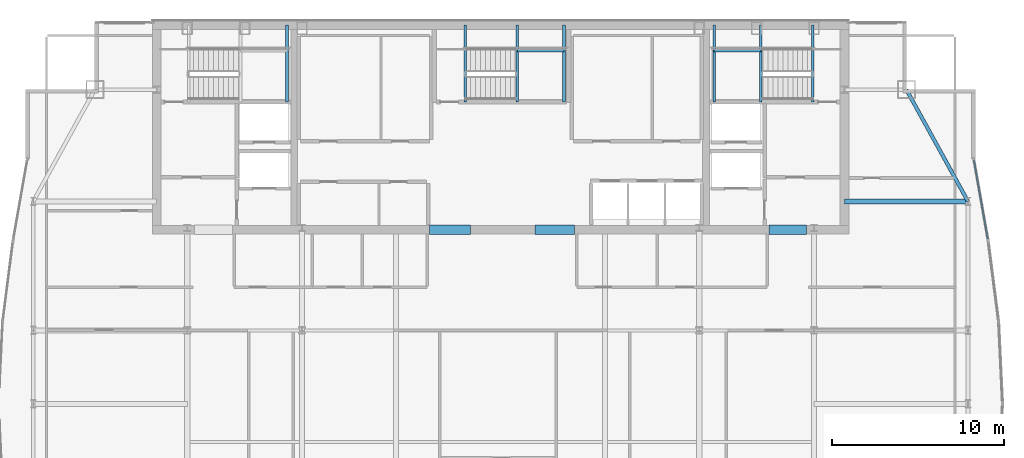
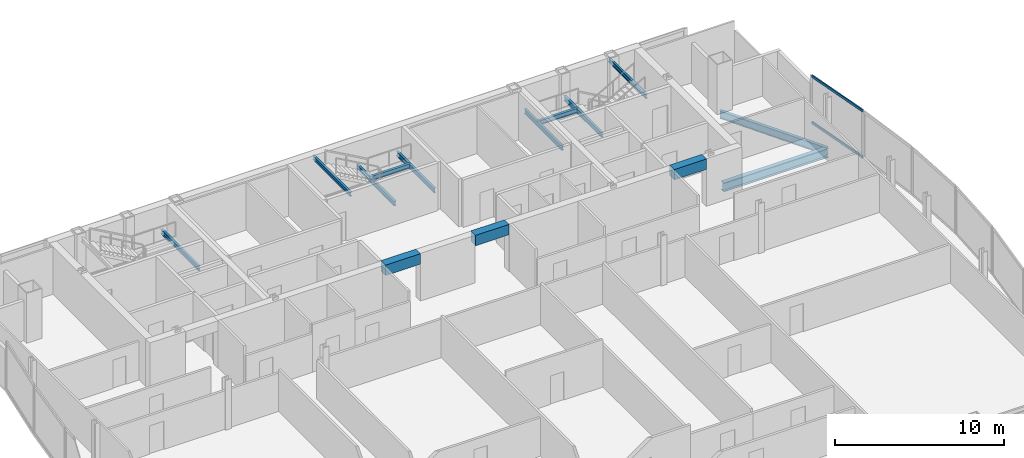
# One storey, part 22 of 30: 14 beams, 2 members, 1 element without a shape of its own.
"""IFC4 building model written with IfcOpenShell, lengths in metres."""

from ifc_helpers import new_model, si_unit, direction, frame, origin, origin_2d, place, context, subcontext, project, spatial, rectangle, hollow_rectangle, i_section, extrude, material, material_profile, profile_set, type_object, element, aggregate, save


model = new_model("IFC4")

# Units and contexts
model_context = context("Model", 3, precision=1e-05, world=origin(), true_north=direction((0.0, 1.0)))
body_context = subcontext(model_context, "Body", "Model", "MODEL_VIEW")
ifc_project = project(units=[si_unit("LENGTHUNIT", "METRE"), si_unit("AREAUNIT", "SQUARE_METRE"), si_unit("VOLUMEUNIT", "CUBIC_METRE"), si_unit("PLANEANGLEUNIT", "RADIAN"), si_unit("MASSUNIT", "GRAM", prefix="KILO")], contexts=[model_context])

# Site, building, storey
site_placement = place(None, origin())
site = spatial("IfcSite", under=ifc_project, at=site_placement, CompositionType="ELEMENT")
building_placement = place(site_placement, origin())
building = spatial("IfcBuilding", under=site, at=building_placement, Name="Khoronbel Lancet Exchange", CompositionType="ELEMENT")
storey_placement = place(building_placement, frame((0.0, 0.0, 277.0)))
storey = spatial("IfcBuildingStorey", under=building, at=storey_placement, Name="L71", CompositionType="ELEMENT", Elevation=277.0)

# Beams
ifc_material_1 = material(Name="Steel S355", Category="steel")
ifc_material_profile_1 = material_profile(ifc_material_1, i_section(OverallWidth=0.300048828125, OverallDepth=0.64990234375, WebThickness=0.01611328125, FlangeThickness=0.031005859375, at=origin_2d()), Name="HEB 650")
ifc_profile_set_1 = profile_set([ifc_material_profile_1], Name="Steel S355")
beam_type_1 = type_object("IfcBeamType", Name="BM-BG4", PredefinedType="BEAM", material=ifc_profile_set_1)
beam_1_placement = place(storey_placement, frame((56.449951171875, 43.199951171875, -0.485107421875), z_axis=(1.0, 0.0, 0.0), x_axis=(0.0, 1.0, 0.0)))
element("IfcBeam", 1, at=beam_1_placement, inside=storey, type_object=beam_type_1, Name="Level L71 east lens tie girder LG3E", PredefinedType="BEAM", context=body_context, shape_type="SweptSolid", body=[
    extrude(i_section(OverallWidth=0.300048828125, OverallDepth=0.64990234375, WebThickness=0.01611328125, FlangeThickness=0.031005859375, at=origin_2d()), origin(), (0.0, 0.0, 1.0), 7.179931640625),
])
ifc_material_profile_2 = material_profile(ifc_material_1, i_section(OverallWidth=0.159912109375, OverallDepth=0.330078125, WebThickness=0.007568359375, FlangeThickness=0.011474609375, at=origin_2d()), Name="IPE 330")
ifc_profile_set_2 = profile_set([ifc_material_profile_2], Name="Steel S355")
beam_type_2 = type_object("IfcBeamType", Name="BM-BJ7", PredefinedType="JOIST", material=ifc_profile_set_2)
for number, where, z_axis, x_axis, name in (
    (2, (24.030029296875, 48.97998046875, 1.43505859375), (0.0, 1.0, 0.0), (-1.0, 0.0, 0.0), "Level L71 stair ST1 rear landing bearer beam 1"),
    (3, (51.580078125, 48.97998046875, 1.43505859375), (0.0, 1.0, 0.0), (-1.0, 0.0, 0.0), "Level L71 stair ST2 landing bearer beam 1"),
    (4, (48.8701171875, 48.97998046875, 1.43505859375), (0.0, 1.0, 0.0), (-1.0, 0.0, 0.0), "Level L71 stair ST2 rear landing bearer beam 1"),
):
    element("IfcBeam", number, at=place(storey_placement, frame(where, z_axis=z_axis, x_axis=x_axis)), inside=storey, type_object=beam_type_2, Name=name, PredefinedType="JOIST", context=body_context, shape_type="SweptSolid", body=[
        extrude(i_section(OverallWidth=0.159912109375, OverallDepth=0.330078125, WebThickness=0.007568359375, FlangeThickness=0.011474609375, at=origin_2d()), origin(), (0.0, 0.0, 1.0), 4.469970703125),
    ])
beam_2_placement = place(storey_placement, frame((48.8701171875, 51.97998046875, 1.43505859375), z_axis=(1.0, 0.0, 0.0), x_axis=(0.0, 1.0, 0.0)))
element("IfcBeam", 5, at=beam_2_placement, inside=storey, type_object=beam_type_2, Name="Level L71 stair ST2 landing cross trimmer beam 1", PredefinedType="JOIST", context=body_context, shape_type="SweptSolid", body=[
    extrude(i_section(OverallWidth=0.159912109375, OverallDepth=0.330078125, WebThickness=0.007568359375, FlangeThickness=0.011474609375, at=origin_2d()), origin(), (0.0, 0.0, 1.0), 2.7099609375),
])
for number, where, z_axis, x_axis, name in (
    (6, (37.419921875, 48.97998046875, 1.43505859375), (0.0, 1.0, 0.0), (-1.0, 0.0, 0.0), "Level L71 stair ST3 landing bearer beam 1"),
    (7, (40.1298828125, 48.97998046875, 1.43505859375), (0.0, 1.0, 0.0), (-1.0, 0.0, 0.0), "Level L71 stair ST3 rear landing bearer beam 1"),
):
    element("IfcBeam", number, at=place(storey_placement, frame(where, z_axis=z_axis, x_axis=x_axis)), inside=storey, type_object=beam_type_2, Name=name, PredefinedType="JOIST", context=body_context, shape_type="SweptSolid", body=[
        extrude(i_section(OverallWidth=0.159912109375, OverallDepth=0.330078125, WebThickness=0.007568359375, FlangeThickness=0.011474609375, at=origin_2d()), origin(), (0.0, 0.0, 1.0), 4.469970703125),
    ])
beam_3_placement = place(storey_placement, frame((37.419921875, 51.97998046875, 1.43505859375), z_axis=(1.0, 0.0, 0.0), x_axis=(0.0, 1.0, 0.0)))
element("IfcBeam", 8, at=beam_3_placement, inside=storey, type_object=beam_type_2, Name="Level L71 stair ST3 landing cross trimmer beam 1", PredefinedType="JOIST", context=body_context, shape_type="SweptSolid", body=[
    extrude(i_section(OverallWidth=0.159912109375, OverallDepth=0.330078125, WebThickness=0.007568359375, FlangeThickness=0.011474609375, at=origin_2d()), origin(), (0.0, 0.0, 1.0), 2.7099609375),
])
ifc_material_profile_3 = material_profile(ifc_material_1, i_section(OverallWidth=0.14990234375, OverallDepth=0.300048828125, WebThickness=0.007080078125, FlangeThickness=0.0107421875, at=origin_2d()), Name="IPE 300")
ifc_profile_set_3 = profile_set([ifc_material_profile_3], Name="Steel S355")
beam_type_3 = type_object("IfcBeamType", Name="BM-BJ8", PredefinedType="JOIST", material=ifc_profile_set_3)
for number, where, z_axis, x_axis, name in (
    (9, (54.60009765625, 48.97998046875, 3.159912109375), (0.0, 1.0, 0.0), (-1.0, 0.0, 0.0), "Level L71 stair ST2 upper-flight arrival trimmer beam"),
    (10, (34.39990234375, 48.97998046875, 3.159912109375), (0.0, 1.0, 0.0), (-1.0, 0.0, 0.0), "Level L71 stair ST3 upper-flight arrival trimmer beam"),
):
    element("IfcBeam", number, at=place(storey_placement, frame(where, z_axis=z_axis, x_axis=x_axis)), inside=storey, type_object=beam_type_3, Name=name, PredefinedType="JOIST", context=body_context, shape_type="SweptSolid", body=[
        extrude(i_section(OverallWidth=0.14990234375, OverallDepth=0.300048828125, WebThickness=0.007080078125, FlangeThickness=0.0107421875, at=origin_2d()), origin(), (0.0, 0.0, 1.0), 4.469970703125),
    ])
ifc_material_2 = material(Name="Concrete C60/75", Category="concrete")
ifc_material_profile_4 = material_profile(ifc_material_2, rectangle(XDim=0.550048828125, YDim=0.75, at=origin_2d()), Name="RC 550x750")
ifc_profile_set_4 = profile_set([ifc_material_profile_4], Name="Concrete C60/75")
beam_type_4 = type_object("IfcBeamType", Name="BM-BL2", PredefinedType="LINTEL", material=ifc_profile_set_4)
beam_4_placement = place(storey_placement, frame((32.300048828125, 41.550048828125, 3.06494140625), z_axis=(1.0, 0.0, 0.0), x_axis=(0.0, 1.0, 0.0)))
element("IfcBeam", 11, at=beam_4_placement, inside=storey, type_object=beam_type_4, Name="Level L71 rear core coupling lintel L2", PredefinedType="LINTEL", context=body_context, shape_type="SweptSolid", body=[
    extrude(rectangle(XDim=0.550048828125, YDim=0.75, at=origin_2d()), origin(), (0.0, 0.0, 1.0), 2.39990234375),
])
beam_5_placement = place(storey_placement, frame((38.449951171875, 41.550048828125, 3.06494140625), z_axis=(1.0, 0.0, 0.0), x_axis=(0.0, 1.0, 0.0)))
element("IfcBeam", 12, at=beam_5_placement, inside=storey, type_object=beam_type_4, Name="Level L71 rear core coupling lintel L3", PredefinedType="LINTEL", context=body_context, shape_type="SweptSolid", body=[
    extrude(rectangle(XDim=0.550048828125, YDim=0.75, at=origin_2d()), origin(), (0.0, 0.0, 1.0), 2.300048828125),
])
beam_6_placement = place(storey_placement, frame((52.050048828125, 41.550048828125, 3.06494140625), z_axis=(1.0, 0.0, 0.0), x_axis=(0.0, 1.0, 0.0)))
element("IfcBeam", 13, at=beam_6_placement, inside=storey, type_object=beam_type_4, Name="Level L71 rear core coupling lintel L4", PredefinedType="LINTEL", context=body_context, shape_type="SweptSolid", body=[
    extrude(rectangle(XDim=0.550048828125, YDim=0.75, at=origin_2d()), origin(), (0.0, 0.0, 1.0), 2.199951171875),
])
ifc_material_profile_5 = material_profile(ifc_material_1, i_section(OverallWidth=0.2099609375, OverallDepth=0.550048828125, WebThickness=0.010986328125, FlangeThickness=0.01708984375, at=origin_2d()), Name="IPE 550")
ifc_profile_set_5 = profile_set([ifc_material_profile_5], Name="Steel S355")
beam_type_5 = type_object("IfcBeamType", Name="BM-BSP3", PredefinedType="SPANDREL", material=ifc_profile_set_5)
beam_7_placement = place(storey_placement, frame((63.6298828125, 43.199951171875, -0.43505859375), z_axis=(-0.482418808117, 0.875940690672, 0.0), x_axis=(-0.875940690672, -0.482418808117, 0.0)))
element("IfcBeam", 14, at=beam_7_placement, inside=storey, type_object=beam_type_5, Name="Level L71 perimeter spandrel beam SP15", PredefinedType="SPANDREL", context=body_context, shape_type="SweptSolid", body=[
    extrude(i_section(OverallWidth=0.2099609375, OverallDepth=0.550048828125, WebThickness=0.010986328125, FlangeThickness=0.01708984375, at=origin_2d()), origin(), (0.0, 0.0, 1.0), 7.420654296875),
])

# Curtain wall, members
ifc_material_3 = material(Name="Low-E Solar Control Insulating Glass", Category="glass")
curtain_wall_type = type_object("IfcCurtainWallType", Name="CW-4", PredefinedType="NOTDEFINED", material=ifc_material_3)
curtain_wall_placement = place(storey_placement, origin())
curtain_wall = element("IfcCurtainWall", 15, at=curtain_wall_placement, inside=storey, type_object=curtain_wall_type, Name="Unitised curtain wall CW-L71-E17", PredefinedType="NOTDEFINED")
ifc_material_4 = material(Name="Bronze-Anodised Aluminium 6063-T6", Category="aluminium")
ifc_material_profile_6 = material_profile(ifc_material_4, hollow_rectangle(XDim=0.0849609375, YDim=0.179931640625, WallThickness=0.0048828125, at=origin_2d()), Name="ALU TRANSOM 85x180")
ifc_profile_set_6 = profile_set([ifc_material_profile_6], Name="Bronze-Anodised Aluminium 6063-T6")
member_type = type_object("IfcMemberType", Name="MEM-CWT1", PredefinedType="USERDEFINED", material=ifc_profile_set_6)
member_1_placement = place(storey_placement, frame((63.97314453125, 45.6181640625, 0.04248046875), z_axis=(0.173699012689, -0.984798788073, 0.0), x_axis=(0.984798788073, 0.173699012689, 0.0)))
member_1 = element("IfcMember", 16, at=member_1_placement, type_object=member_type, Name="CW4 transom 1.1", ObjectType="TRANSOM", PredefinedType="USERDEFINED", context=body_context, shape_type="SweptSolid", body=[
    extrude(hollow_rectangle(XDim=0.0849609375, YDim=0.179931640625, WallThickness=0.0048828125, at=origin_2d()), origin(), (0.0, 0.0, 1.0), 4.678955078125),
])
member_2_placement = place(storey_placement, frame((63.97314453125, 45.6181640625, 3.3974609375), z_axis=(0.173699012689, -0.984798788073, 0.0), x_axis=(0.984798788073, 0.173699012689, 0.0)))
member_2 = element("IfcMember", 17, at=member_2_placement, type_object=member_type, Name="CW4 transom 1.2", ObjectType="TRANSOM", PredefinedType="USERDEFINED", context=body_context, shape_type="SweptSolid", body=[
    extrude(hollow_rectangle(XDim=0.0849609375, YDim=0.179931640625, WallThickness=0.0048828125, at=origin_2d()), origin(), (0.0, 0.0, 1.0), 4.678955078125),
])
aggregate(curtain_wall, [member_1, member_2])

save(model, "model.ifc")
